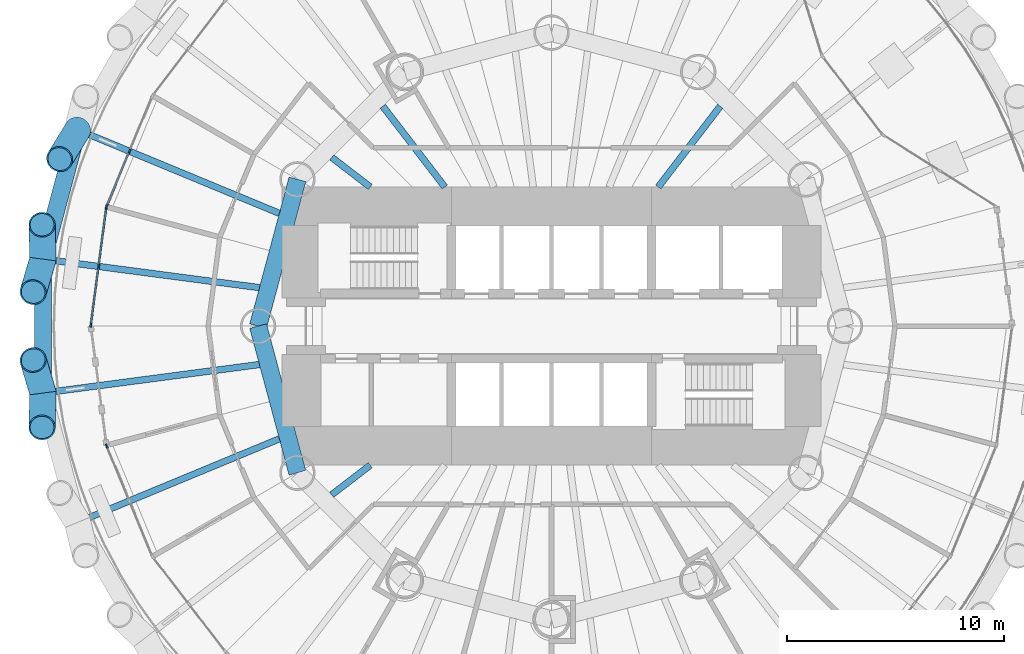
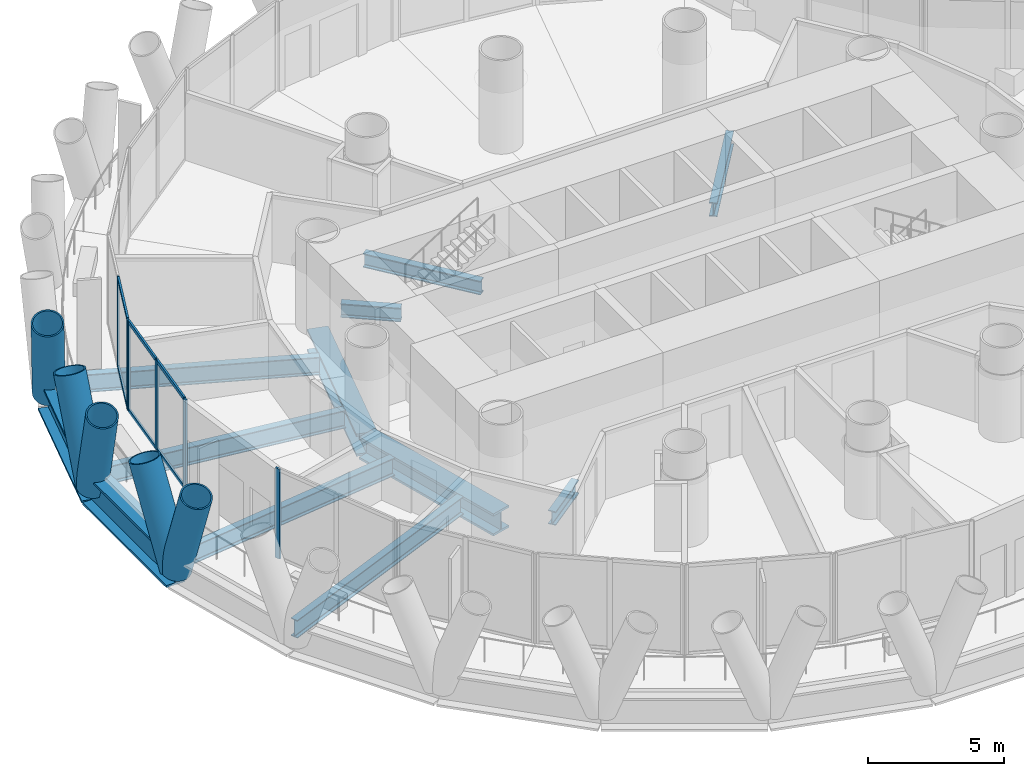
# One storey, part 3 of 15: 17 members, 12 beams, 3 elements without a shape of their own.
"""IFC4 building model written with IfcOpenShell, lengths in metres."""

from ifc_helpers import new_model, si_unit, direction, frame, origin, origin_2d, place, context, subcontext, project, spatial, rectangle, hollow_circle, i_section, extrude, material, material_profile, profile_set, type_object, element, aggregate, save


model = new_model("IFC4")

# Units and contexts
model_context = context("Model", 3, precision=1e-05, world=origin(), true_north=direction((0.0, 1.0)))
body_context = subcontext(model_context, "Body", "Model", "MODEL_VIEW")
ifc_project = project(units=[si_unit("LENGTHUNIT", "METRE"), si_unit("AREAUNIT", "SQUARE_METRE"), si_unit("VOLUMEUNIT", "CUBIC_METRE"), si_unit("PLANEANGLEUNIT", "RADIAN"), si_unit("MASSUNIT", "GRAM", prefix="KILO")], contexts=[model_context])

# Site, building, storey
site_placement = place(None, origin())
site = spatial("IfcSite", under=ifc_project, at=site_placement, CompositionType="ELEMENT")
building_placement = place(site_placement, origin())
building = spatial("IfcBuilding", under=site, at=building_placement, Name="Qaws Media Tower", CompositionType="ELEMENT")
storey_placement = place(building_placement, frame((0.0, 0.0, 34.39990234375)))
storey = spatial("IfcBuildingStorey", under=building, at=storey_placement, Name="L06", CompositionType="ELEMENT", Elevation=34.39990234375)

# Curtain wall, members
ifc_material_1 = material(Name="Aluminium and clear glass", Category="aluminium")
curtain_wall_type = type_object("IfcCurtainWallType", Name="Unitised curtain wall CW-A", PredefinedType="NOTDEFINED", material=ifc_material_1)
curtain_wall_1_placement = place(storey_placement, origin())
curtain_wall_1 = element("IfcCurtainWall", 1, at=curtain_wall_1_placement, inside=storey, type_object=curtain_wall_type, Name="CWA curtain wall L06-11", PredefinedType="NOTDEFINED")
ifc_material_2 = material(Name="Aluminium mullion", Category="aluminium")
ifc_material_profile_1 = material_profile(ifc_material_2, rectangle(XDim=0.080078125, YDim=0.199951171875, at=origin_2d()), Name="80x200")
ifc_profile_set_1 = profile_set([ifc_material_profile_1], Name="Aluminium mullion")
member_type_1 = type_object("IfcMemberType", Name="Curtain wall mullion 80x200", PredefinedType="MULLION", material=ifc_profile_set_1)
member_1_placement = place(storey_placement, frame((40.581298828125, 58.04345703125, 0.0), z_axis=(0.0, 0.0, 1.0), x_axis=(0.923879523321, -0.382683454553, 0.0)))
member_1 = element("IfcMember", 2, at=member_1_placement, type_object=member_type_1, Name="CWA mullion 2", PredefinedType="MULLION", context=body_context, shape_type="SweptSolid", body=[
    extrude(rectangle(XDim=0.080078125, YDim=0.199951171875, at=origin_2d()), origin(), (0.0, 0.0, 1.0), 4.0400390625),
])
member_2_placement = place(storey_placement, frame((39.53759765625, 55.52392578125, 0.0), z_axis=(0.0, 0.0, 1.0), x_axis=(0.923879523321, -0.382683454553, 0.0)))
member_2 = element("IfcMember", 3, at=member_2_placement, type_object=member_type_1, Name="CWA mullion 3", PredefinedType="MULLION", context=body_context, shape_type="SweptSolid", body=[
    extrude(rectangle(XDim=0.080078125, YDim=0.199951171875, at=origin_2d()), origin(), (0.0, 0.0, 1.0), 4.0400390625),
])

curtain_wall_2_placement = place(storey_placement, origin())
curtain_wall_2 = element("IfcCurtainWall", 4, at=curtain_wall_2_placement, inside=storey, type_object=curtain_wall_type, Name="CWA curtain wall L06-12", PredefinedType="NOTDEFINED")
member_3_placement = place(storey_placement, frame((39.51708984375, 55.447265625, 0.0), z_axis=(0.0, 0.0, 1.0), x_axis=(0.991444873411, -0.130526100786, 0.0)))
member_3 = element("IfcMember", 5, at=member_3_placement, type_object=member_type_1, Name="CWA mullion 1", PredefinedType="MULLION", context=body_context, shape_type="SweptSolid", body=[
    extrude(rectangle(XDim=0.080078125, YDim=0.199951171875, at=origin_2d()), origin(), (0.0, 0.0, 1.0), 4.0400390625),
])
member_4_placement = place(storey_placement, frame((39.1611328125, 52.743408203125, 0.0), z_axis=(0.0, 0.0, 1.0), x_axis=(0.991444873411, -0.130526100786, 0.0)))
member_4 = element("IfcMember", 6, at=member_4_placement, type_object=member_type_1, Name="CWA mullion 2", PredefinedType="MULLION", context=body_context, shape_type="SweptSolid", body=[
    extrude(rectangle(XDim=0.080078125, YDim=0.199951171875, at=origin_2d()), origin(), (0.0, 0.0, 1.0), 4.0400390625),
])
member_5_placement = place(storey_placement, frame((38.80517578125, 50.03955078125, 0.0), z_axis=(0.0, 0.0, 1.0), x_axis=(0.991444873411, -0.130526100786, 0.0)))
member_5 = element("IfcMember", 7, at=member_5_placement, type_object=member_type_1, Name="CWA mullion 3", PredefinedType="MULLION", context=body_context, shape_type="SweptSolid", body=[
    extrude(rectangle(XDim=0.080078125, YDim=0.199951171875, at=origin_2d()), origin(), (0.0, 0.0, 1.0), 4.0400390625),
])

# Curtain wall, member
curtain_wall_3_placement = place(storey_placement, origin())
curtain_wall_3 = element("IfcCurtainWall", 8, at=curtain_wall_3_placement, inside=storey, type_object=curtain_wall_type, Name="CWA curtain wall L06-14", PredefinedType="NOTDEFINED")
member_6_placement = place(storey_placement, frame((39.53759765625, 44.47607421875, 0.0), z_axis=(0.0, 0.0, 1.0), x_axis=(0.923879523321, 0.382683454553, 0.0)))
member_6 = element("IfcMember", 9, at=member_6_placement, type_object=member_type_1, Name="CWA mullion 1", PredefinedType="MULLION", context=body_context, shape_type="SweptSolid", body=[
    extrude(rectangle(XDim=0.080078125, YDim=0.199951171875, at=origin_2d()), origin(), (0.0, 0.0, 1.0), 4.0400390625),
])
aggregate(curtain_wall_3, [member_6])

# Member
ifc_material_3 = material(Name="Aluminium transom", Category="aluminium")
ifc_material_profile_2 = material_profile(ifc_material_3, rectangle(XDim=0.080078125, YDim=0.159912109375, at=origin_2d()), Name="80x160")
ifc_profile_set_2 = profile_set([ifc_material_profile_2], Name="Aluminium transom")
member_type_2 = type_object("IfcMemberType", Name="Curtain wall transom 80x160", PredefinedType="USERDEFINED", material=ifc_profile_set_2)
member_7_placement = place(storey_placement, frame((40.56591796875, 58.006591796875, 0.0400390625), z_axis=(-0.38263687271, -0.923898816777, 0.0), x_axis=(0.923898816777, -0.38263687271, 0.0)))
member_7 = element("IfcMember", 10, at=member_7_placement, type_object=member_type_2, Name="CWA transom 2.1", ObjectType="TRANSOM", PredefinedType="USERDEFINED", context=body_context, shape_type="SweptSolid", body=[
    extrude(rectangle(XDim=0.080078125, YDim=0.159912109375, at=origin_2d()), origin(), (0.0, 0.0, 1.0), 2.647216796875),
])

member_8_placement = place(storey_placement, frame((40.56591796875, 58.006591796875, 4.0), z_axis=(-0.38263687271, -0.923898816777, 0.0), x_axis=(0.923898816777, -0.38263687271, 0.0)))
member_8 = element("IfcMember", 11, at=member_8_placement, type_object=member_type_2, Name="CWA transom 2.2", ObjectType="TRANSOM", PredefinedType="USERDEFINED", context=body_context, shape_type="SweptSolid", body=[
    extrude(rectangle(XDim=0.080078125, YDim=0.159912109375, at=origin_2d()), origin(), (0.0, 0.0, 1.0), 2.647216796875),
])

aggregate(curtain_wall_1, [member_1, member_2, member_7, member_8])

member_9_placement = place(storey_placement, frame((39.511962890625, 55.40771484375, 0.0400390625), z_axis=(-0.130502227239, -0.991448016129, 0.0), x_axis=(0.991448016129, -0.130502227239, 0.0)))
member_9 = element("IfcMember", 12, at=member_9_placement, type_object=member_type_2, Name="CWA transom 1.1", ObjectType="TRANSOM", PredefinedType="USERDEFINED", context=body_context, shape_type="SweptSolid", body=[
    extrude(rectangle(XDim=0.080078125, YDim=0.159912109375, at=origin_2d()), origin(), (0.0, 0.0, 1.0), 2.647216796875),
])

member_10_placement = place(storey_placement, frame((39.511962890625, 55.40771484375, 4.0), z_axis=(-0.130502227239, -0.991448016129, 0.0), x_axis=(0.991448016129, -0.130502227239, 0.0)))
member_10 = element("IfcMember", 13, at=member_10_placement, type_object=member_type_2, Name="CWA transom 1.2", ObjectType="TRANSOM", PredefinedType="USERDEFINED", context=body_context, shape_type="SweptSolid", body=[
    extrude(rectangle(XDim=0.080078125, YDim=0.159912109375, at=origin_2d()), origin(), (0.0, 0.0, 1.0), 2.647216796875),
])

member_11_placement = place(storey_placement, frame((39.156005859375, 52.703857421875, 0.0400390625), z_axis=(-0.130502227239, -0.991448016129, 0.0), x_axis=(0.991448016129, -0.130502227239, 0.0)))
member_11 = element("IfcMember", 14, at=member_11_placement, type_object=member_type_2, Name="CWA transom 2.1", ObjectType="TRANSOM", PredefinedType="USERDEFINED", context=body_context, shape_type="SweptSolid", body=[
    extrude(rectangle(XDim=0.080078125, YDim=0.159912109375, at=origin_2d()), origin(), (0.0, 0.0, 1.0), 2.647216796875),
])

member_12_placement = place(storey_placement, frame((39.156005859375, 52.703857421875, 4.0), z_axis=(-0.130502227239, -0.991448016129, 0.0), x_axis=(0.991448016129, -0.130502227239, 0.0)))
member_12 = element("IfcMember", 15, at=member_12_placement, type_object=member_type_2, Name="CWA transom 2.2", ObjectType="TRANSOM", PredefinedType="USERDEFINED", context=body_context, shape_type="SweptSolid", body=[
    extrude(rectangle(XDim=0.080078125, YDim=0.159912109375, at=origin_2d()), origin(), (0.0, 0.0, 1.0), 2.647216796875),
])

aggregate(curtain_wall_2, [member_3, member_4, member_5, member_9, member_10, member_11, member_12])

# Members
ifc_material_4 = material(Name="Steel S460", Category="steel")
ifc_material_profile_3 = material_profile(ifc_material_4, hollow_circle(Radius=0.609619140625, WallThickness=0.06005859375, at=origin_2d()), Name="CHS 1219x60")
ifc_profile_set_3 = profile_set([ifc_material_profile_3], Name="Steel S460")
member_type_3 = type_object("IfcMemberType", Name="Diagrid member CHS 1219x60", PredefinedType="USERDEFINED", material=ifc_profile_set_3)
for number, where, z_axis, x_axis, name in (
    (16, (38.196533203125, 59.03125, -0.909912109375), (-0.184507437707, -0.300531719733, 0.935755144717), (0.85220863007, -0.523202112796, 0.0), "DG1 diagrid L06 A11"),
    (17, (36.601806640625, 53.080322265625, -0.909912109375), (-0.100414403479, -0.338014682134, 0.935768679876), (0.958595556334, -0.284771064852, 0.0), "DG1 diagrid L06 A12"),
    (18, (36.601806640625, 53.080322265625, -0.909912109375), (-0.009464676487, 0.352532001786, 0.935751894263), (-0.999639794984, -0.026838038008, 0.0), "DG1 diagrid L06 B12"),
    (19, (36.601806640625, 46.919677734375, -0.909912109375), (-0.009464676487, -0.352532001786, 0.935751894263), (0.999639794984, -0.026838038008, 0.0), "DG1 diagrid L06 A13"),
    (20, (36.601806640625, 46.919677734375, -0.909912109375), (-0.100414403479, 0.338014682134, 0.935768679876), (-0.958595556334, -0.284771064852, 0.0), "DG1 diagrid L06 B13"),
):
    element("IfcMember", number, at=place(storey_placement, frame(where, z_axis=z_axis, x_axis=x_axis)), inside=storey, type_object=member_type_3, Name=name, ObjectType="DIAGRID", PredefinedType="USERDEFINED", context=body_context, shape_type="SweptSolid", body=[
        extrude(hollow_circle(Radius=0.609619140625, WallThickness=0.06005859375, at=origin_2d()), origin(), (0.0, 0.0, 1.0), 4.48828125),
    ])

# Beams
ifc_material_5 = material(Name="Steel S460", Category="steel")
ifc_material_profile_4 = material_profile(ifc_material_5, i_section(OverallWidth=0.800048828125, OverallDepth=1.5, WebThickness=0.0400390625, FlangeThickness=0.10009765625, at=origin_2d()), Name="PG 1500x800")
ifc_profile_set_4 = profile_set([ifc_material_profile_4], Name="Steel S460")
beam_type_1 = type_object("IfcBeamType", Name="Edge ring beam PG 1500x800", PredefinedType="BEAM", material=ifc_profile_set_4)
beam_1_placement = place(storey_placement, frame((38.196533203125, 59.03125, -0.909912109375), z_axis=(-0.258846347058, -0.965918510339, 0.0), x_axis=(0.965918510339, -0.258846347058, 0.0)))
element("IfcBeam", 21, at=beam_1_placement, inside=storey, type_object=beam_type_1, Name="RB7 edge ring beam L06-11", PredefinedType="BEAM", context=body_context, shape_type="SweptSolid", body=[
    extrude(i_section(OverallWidth=0.800048828125, OverallDepth=1.5, WebThickness=0.0400390625, FlangeThickness=0.10009765625, at=origin_2d()), origin(), (0.0, 0.0, 1.0), 6.160888671875),
])
beam_2_placement = place(storey_placement, frame((36.601806640625, 53.080322265625, -0.909912109375), z_axis=(0.0, -1.0, 0.0), x_axis=(1.0, 0.0, 0.0)))
element("IfcBeam", 22, at=beam_2_placement, inside=storey, type_object=beam_type_1, Name="RB7 edge ring beam L06-12", PredefinedType="BEAM", context=body_context, shape_type="SweptSolid", body=[
    extrude(i_section(OverallWidth=0.800048828125, OverallDepth=1.5, WebThickness=0.0400390625, FlangeThickness=0.10009765625, at=origin_2d()), origin(), (0.0, 0.0, 1.0), 6.16064453125),
])
ifc_material_6 = material(Name="Steel S460", Category="steel")
ifc_material_profile_5 = material_profile(ifc_material_6, i_section(OverallWidth=0.800048828125, OverallDepth=1.0, WebThickness=0.0400390625, FlangeThickness=0.10009765625, at=origin_2d()), Name="PG 1000x800")
ifc_profile_set_5 = profile_set([ifc_material_profile_5], Name="Steel S460")
beam_type_2 = type_object("IfcBeamType", Name="Inner ring girder PG 1000x800", PredefinedType="BEAM", material=ifc_profile_set_5)
for number, where, z_axis, x_axis, name in (
    (23, (48.30859375, 56.75, -0.659912109375), (-0.258810593767, -0.965928090778, 0.0), (0.965928090778, -0.258810593767, 0.0), "B3 inner ring beam L06 I06-I07"),
    (24, (46.5, 50.0, -0.659912109375), (0.258810593767, -0.965928090778, 0.0), (0.965928090778, 0.258810593767, 0.0), "B3 inner ring beam L06 I07-I08"),
):
    element("IfcBeam", number, at=place(storey_placement, frame(where, z_axis=z_axis, x_axis=x_axis)), inside=storey, type_object=beam_type_2, Name=name, PredefinedType="BEAM", context=body_context, shape_type="SweptSolid", body=[
        extrude(i_section(OverallWidth=0.800048828125, OverallDepth=1.0, WebThickness=0.0400390625, FlangeThickness=0.10009765625, at=origin_2d()), origin(), (0.0, 0.0, 1.0), 6.988037109375),
    ])
ifc_material_7 = material(Name="Steel S355", Category="steel")
ifc_material_profile_6 = material_profile(ifc_material_7, i_section(OverallWidth=0.304931640625, OverallDepth=0.6201171875, WebThickness=0.02099609375, FlangeThickness=0.0400390625, FilletRadius=0.027099609375, at=origin_2d()), Name="HE 600 M")
ifc_profile_set_6 = profile_set([ifc_material_profile_6], Name="Steel S355")
beam_type_3 = type_object("IfcBeamType", Name="Radial beam HE 600 M, core side", PredefinedType="BEAM", material=ifc_profile_set_6)
for number, where, z_axis, x_axis, name in (
    (25, (64.910888671875, 56.39990234375, -0.469970703125), (0.608765363283, 0.793350321401, 0.0), (-0.793350321401, 0.608765363283, 0.0), "B2 radial beam L06 04"),
    (26, (55.089111328125, 56.39990234375, -0.469970703125), (-0.608765363283, 0.793350321401, 0.0), (-0.793350321401, -0.608765363283, 0.0), "B2 radial beam L06 09"),
):
    element("IfcBeam", number, at=place(storey_placement, frame(where, z_axis=z_axis, x_axis=x_axis)), inside=storey, type_object=beam_type_3, Name=name, PredefinedType="BEAM", context=body_context, shape_type="SweptSolid", body=[
        extrude(i_section(OverallWidth=0.304931640625, OverallDepth=0.6201171875, WebThickness=0.02099609375, FlangeThickness=0.0400390625, FilletRadius=0.027099609375, at=origin_2d()), origin(), (0.0, 0.0, 1.0), 4.68212890625),
    ])
for number, where, z_axis, x_axis, name in (
    (27, (51.659423828125, 56.39990234375, -0.469970703125), (-0.793321589474, 0.608802805245, 0.0), (-0.608802805245, -0.793321589474, 0.0), "B2 radial beam L06 10"),
    (28, (51.659423828125, 43.60009765625, -0.469970703125), (-0.793321589474, -0.608802805245, 0.0), (0.608802805245, -0.793321589474, 0.0), "B2 radial beam L06 15"),
):
    element("IfcBeam", number, at=place(storey_placement, frame(where, z_axis=z_axis, x_axis=x_axis)), inside=storey, type_object=beam_type_3, Name=name, PredefinedType="BEAM", context=body_context, shape_type="SweptSolid", body=[
        extrude(i_section(OverallWidth=0.304931640625, OverallDepth=0.6201171875, WebThickness=0.02099609375, FlangeThickness=0.0400390625, FilletRadius=0.027099609375, at=origin_2d()), origin(), (0.0, 0.0, 1.0), 2.236083984375),
    ])
ifc_material_8 = material(Name="Steel S355", Category="steel")
ifc_material_profile_7 = material_profile(ifc_material_8, i_section(OverallWidth=0.300048828125, OverallDepth=0.800048828125, WebThickness=0.017578125, FlangeThickness=0.032958984375, FilletRadius=0.030029296875, at=origin_2d()), Name="HE 800 B")
ifc_profile_set_7 = profile_set([ifc_material_profile_7], Name="Steel S355")
beam_type_4 = type_object("IfcBeamType", Name="Radial beam HE 800 B", PredefinedType="BEAM", material=ifc_profile_set_7)
beam_3_placement = place(storey_placement, frame((47.475830078125, 55.187744140625, -0.559814453125), z_axis=(-0.923883219985, 0.382674529894, 0.0), x_axis=(-0.382674529894, -0.923883219985, 0.0)))
element("IfcBeam", 29, at=beam_3_placement, inside=storey, type_object=beam_type_4, Name="B1 radial beam L06 11", PredefinedType="BEAM", context=body_context, shape_type="SweptSolid", body=[
    extrude(i_section(OverallWidth=0.300048828125, OverallDepth=0.800048828125, WebThickness=0.017578125, FlangeThickness=0.032958984375, FilletRadius=0.030029296875, at=origin_2d()), origin(), (0.0, 0.0, 1.0), 10.043701171875),
])
for number, where, z_axis, x_axis, name in (
    (30, (46.56005859375, 51.769287109375, -0.559814453125), (-0.991444778722, 0.130526820019, 0.0), (-0.130526820019, -0.991444778722, 0.0), "B1 radial beam L06 12"),
    (31, (46.56005859375, 48.230712890625, -0.559814453125), (-0.991444778722, -0.130526820019, 0.0), (0.130526820019, -0.991444778722, 0.0), "B1 radial beam L06 13"),
):
    element("IfcBeam", number, at=place(storey_placement, frame(where, z_axis=z_axis, x_axis=x_axis)), inside=storey, type_object=beam_type_4, Name=name, PredefinedType="BEAM", context=body_context, shape_type="SweptSolid", body=[
        extrude(i_section(OverallWidth=0.300048828125, OverallDepth=0.800048828125, WebThickness=0.017578125, FlangeThickness=0.032958984375, FilletRadius=0.030029296875, at=origin_2d()), origin(), (0.0, 0.0, 1.0), 10.044189453125),
    ])
beam_4_placement = place(storey_placement, frame((47.475830078125, 44.812255859375, -0.559814453125), z_axis=(-0.923883219985, -0.382674529894, 0.0), x_axis=(0.382674529894, -0.923883219985, 0.0)))
element("IfcBeam", 32, at=beam_4_placement, inside=storey, type_object=beam_type_4, Name="B1 radial beam L06 14", PredefinedType="BEAM", context=body_context, shape_type="SweptSolid", body=[
    extrude(i_section(OverallWidth=0.300048828125, OverallDepth=0.800048828125, WebThickness=0.017578125, FlangeThickness=0.032958984375, FilletRadius=0.030029296875, at=origin_2d()), origin(), (0.0, 0.0, 1.0), 10.043701171875),
])

save(model, "model.ifc")
